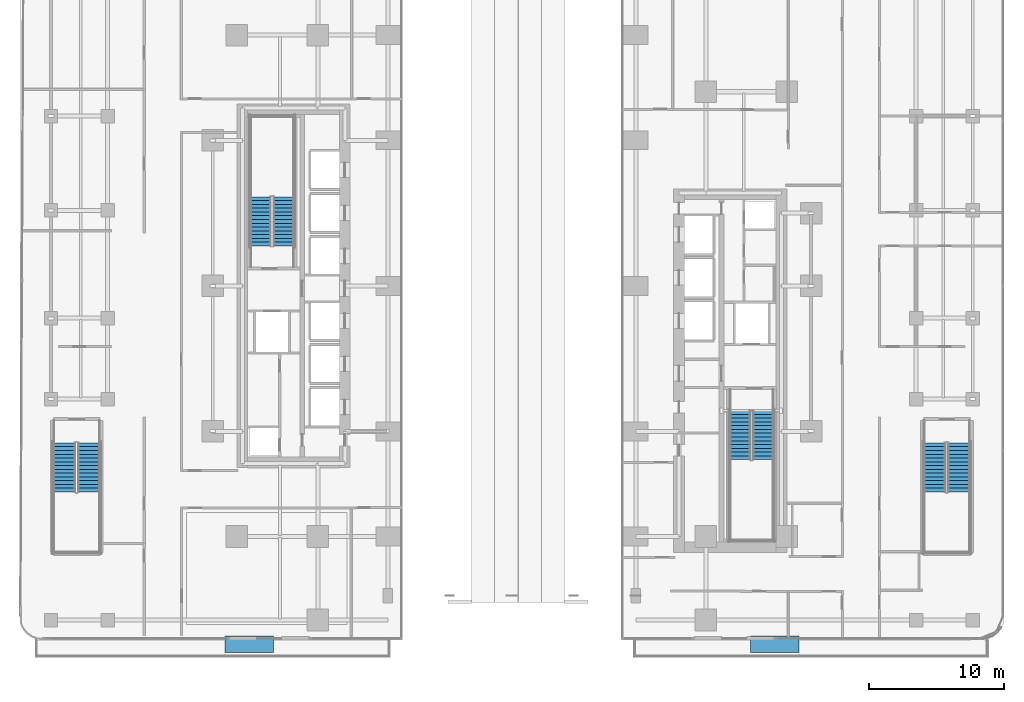
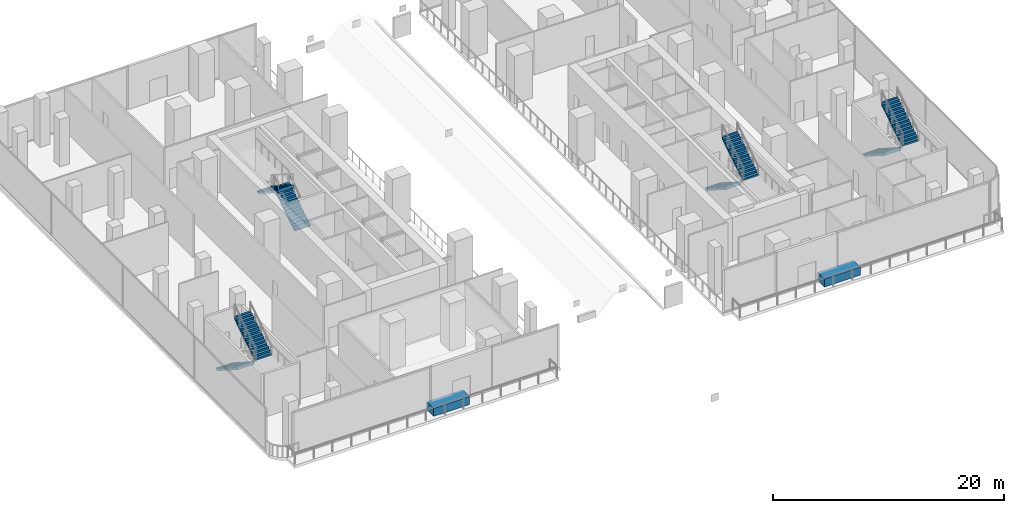
# One storey, part 15 of 32: 8 stair flights, 2 discrete accessories, 4 elements without a shape of their own.
"""IFC4 building model written with IfcOpenShell, lengths in metres."""

from ifc_helpers import new_model, si_unit, direction, frame, origin, origin_2d, place, context, subcontext, project, spatial, polyline, rectangle, outline, extrude, material, layer, layer_set, type_object, element, aggregate, save


model = new_model("IFC4")

# Units and contexts
model_context = context("Model", 3, precision=1e-05, world=origin(), true_north=direction((0.0, 1.0)))
body_context = subcontext(model_context, "Body", "Model", "MODEL_VIEW")
ifc_project = project(units=[si_unit("LENGTHUNIT", "METRE"), si_unit("AREAUNIT", "SQUARE_METRE"), si_unit("VOLUMEUNIT", "CUBIC_METRE"), si_unit("PLANEANGLEUNIT", "RADIAN"), si_unit("MASSUNIT", "GRAM", prefix="KILO")], contexts=[model_context])

# Site, building, storey
site_placement = place(None, origin())
site = spatial("IfcSite", under=ifc_project, at=site_placement, CompositionType="ELEMENT")
building_placement = place(site_placement, origin())
building = spatial("IfcBuilding", under=site, at=building_placement, Name="Khairoan Windgate Tower", CompositionType="ELEMENT")
storey_placement = place(building_placement, frame((0.0, 0.0, 16.0)))
storey = spatial("IfcBuildingStorey", under=building, at=storey_placement, Name="L04", CompositionType="ELEMENT", Elevation=16.0)

# Stair, stair flights
ifc_material_1 = material(Name="Concrete C40/50", Category="concrete")
stair_type_1 = type_object("IfcStairType", Name="Podium Exit Dog-Leg Stair ST-T2 1660mm", PredefinedType="HALF_TURN_STAIR", material=ifc_material_1)
stair_1_placement = place(storey_placement, origin())
stair_1 = element("IfcStair", 1, at=stair_1_placement, inside=storey, type_object=stair_type_1, Name="L04 Stair ST3", PredefinedType="HALF_TURN_STAIR")
ifc_material_2 = material(Name="Concrete C40/50", Category="concrete")
ifc_layer_1 = layer(ifc_material_2, 0.14990234375, Name="Concrete C40/50")
ifc_layer_set_1 = layer_set([ifc_layer_1], Name="Concrete C40/50")
stair_flight_type_1 = type_object("IfcStairFlightType", Name="Podium Stair Flight STF-1660", PredefinedType="STRAIGHT", material=ifc_layer_set_1)
stair_flight_1_placement = place(storey_placement, frame((31.3798828125, -11.659912109375, 0.0), z_axis=(0.0, 0.0, 1.0), x_axis=(0.0, -1.0, 0.0)))
stair_flight_1 = element("IfcStairFlight", 2, at=stair_flight_1_placement, type_object=stair_flight_type_1, Name="ST3 flight 1", NumberOfRisers=14, NumberOfTreads=13, PredefinedType="STRAIGHT", RiserHeight=0.178571429, TreadLength=0.28, context=body_context, shape_type="SweptSolid", body=[
    extrude(outline(polyline([(-0.00390625, 0.0), (-0.00390625, 0.178466796875), (0.0, 0.178466796875), (0.280029296875, 0.178466796875), (0.280029296875, 0.357177734375), (0.56005859375, 0.357177734375), (0.56005859375, 0.53564453125), (0.840087890625, 0.53564453125), (0.840087890625, 0.71435546875), (1.1201171875, 0.71435546875), (1.1201171875, 0.892822265625), (1.39990234375, 0.892822265625), (1.39990234375, 1.071533203125), (1.679931640625, 1.071533203125), (1.679931640625, 1.25), (1.9599609375, 1.25), (1.9599609375, 1.428466796875), (2.239990234375, 1.428466796875), (2.239990234375, 1.607177734375), (2.52001953125, 1.607177734375), (2.52001953125, 1.78564453125), (2.800048828125, 1.78564453125), (2.800048828125, 1.96435546875), (3.080078125, 1.96435546875), (3.080078125, 2.142822265625), (3.360107421875, 2.142822265625), (3.360107421875, 2.321533203125), (3.639892578125, 2.321533203125), (3.639892578125, 2.5), (3.64404296875, 2.5), (3.64404296875, 2.1435546875), (0.27880859375, 0.0), (-0.00390625, 0.0)])), frame((0.0, 0.830078125, 0.0), z_axis=(0.0, -1.0, 0.0), x_axis=(1.0, 0.0, 0.0)), (0.0, 0.0, 1.0), 1.659912109375),
])
stair_flight_2_placement = place(storey_placement, frame((33.18994140625, -15.300048828125, 2.5), z_axis=(0.0, 0.0, 1.0), x_axis=(0.0, 1.0, 0.0)))
stair_flight_2 = element("IfcStairFlight", 3, at=stair_flight_2_placement, type_object=stair_flight_type_1, Name="ST3 flight 2", NumberOfRisers=14, NumberOfTreads=13, PredefinedType="STRAIGHT", RiserHeight=0.178571429, TreadLength=0.28, context=body_context, shape_type="SweptSolid", body=[
    extrude(outline(polyline([(-0.00390625, 0.0), (-0.00390625, 0.178466796875), (0.0, 0.178466796875), (0.280029296875, 0.178466796875), (0.280029296875, 0.357177734375), (0.56005859375, 0.357177734375), (0.56005859375, 0.53564453125), (0.840087890625, 0.53564453125), (0.840087890625, 0.71435546875), (1.1201171875, 0.71435546875), (1.1201171875, 0.892822265625), (1.39990234375, 0.892822265625), (1.39990234375, 1.071533203125), (1.679931640625, 1.071533203125), (1.679931640625, 1.25), (1.9599609375, 1.25), (1.9599609375, 1.428466796875), (2.239990234375, 1.428466796875), (2.239990234375, 1.607177734375), (2.52001953125, 1.607177734375), (2.52001953125, 1.78564453125), (2.800048828125, 1.78564453125), (2.800048828125, 1.96435546875), (3.080078125, 1.96435546875), (3.080078125, 2.142822265625), (3.360107421875, 2.142822265625), (3.360107421875, 2.321533203125), (3.639892578125, 2.321533203125), (3.639892578125, 2.5), (3.64404296875, 2.5), (3.64404296875, 2.1435546875), (0.27880859375, 0.0), (-0.00390625, 0.0)])), frame((0.0, 0.830078125, 0.0), z_axis=(0.0, -1.0, 0.0), x_axis=(1.0, 0.0, 0.0)), (0.0, 0.0, 1.0), 1.659912109375),
])
aggregate(stair_1, [stair_flight_1, stair_flight_2])

stair_2_placement = place(storey_placement, origin())
stair_2 = element("IfcStair", 4, at=stair_2_placement, inside=storey, type_object=stair_type_1, Name="L04 Stair ST4", PredefinedType="HALF_TURN_STAIR")
stair_flight_3_placement = place(storey_placement, frame((-33.18994140625, -11.659912109375, 0.0), z_axis=(0.0, 0.0, 1.0), x_axis=(0.0, -1.0, 0.0)))
stair_flight_3 = element("IfcStairFlight", 5, at=stair_flight_3_placement, type_object=stair_flight_type_1, Name="ST4 flight 1", NumberOfRisers=14, NumberOfTreads=13, PredefinedType="STRAIGHT", RiserHeight=0.178571429, TreadLength=0.28, context=body_context, shape_type="SweptSolid", body=[
    extrude(outline(polyline([(-0.00390625, 0.0), (-0.00390625, 0.178466796875), (0.0, 0.178466796875), (0.280029296875, 0.178466796875), (0.280029296875, 0.357177734375), (0.56005859375, 0.357177734375), (0.56005859375, 0.53564453125), (0.840087890625, 0.53564453125), (0.840087890625, 0.71435546875), (1.1201171875, 0.71435546875), (1.1201171875, 0.892822265625), (1.39990234375, 0.892822265625), (1.39990234375, 1.071533203125), (1.679931640625, 1.071533203125), (1.679931640625, 1.25), (1.9599609375, 1.25), (1.9599609375, 1.428466796875), (2.239990234375, 1.428466796875), (2.239990234375, 1.607177734375), (2.52001953125, 1.607177734375), (2.52001953125, 1.78564453125), (2.800048828125, 1.78564453125), (2.800048828125, 1.96435546875), (3.080078125, 1.96435546875), (3.080078125, 2.142822265625), (3.360107421875, 2.142822265625), (3.360107421875, 2.321533203125), (3.639892578125, 2.321533203125), (3.639892578125, 2.5), (3.64404296875, 2.5), (3.64404296875, 2.1435546875), (0.27880859375, 0.0), (-0.00390625, 0.0)])), frame((0.0, 0.830078125, 0.0), z_axis=(0.0, -1.0, 0.0), x_axis=(1.0, 0.0, 0.0)), (0.0, 0.0, 1.0), 1.659912109375),
])
stair_flight_4_placement = place(storey_placement, frame((-31.3798828125, -15.300048828125, 2.5), z_axis=(0.0, 0.0, 1.0), x_axis=(0.0, 1.0, 0.0)))
stair_flight_4 = element("IfcStairFlight", 6, at=stair_flight_4_placement, type_object=stair_flight_type_1, Name="ST4 flight 2", NumberOfRisers=14, NumberOfTreads=13, PredefinedType="STRAIGHT", RiserHeight=0.178571429, TreadLength=0.28, context=body_context, shape_type="SweptSolid", body=[
    extrude(outline(polyline([(-0.00390625, 0.0), (-0.00390625, 0.178466796875), (0.0, 0.178466796875), (0.280029296875, 0.178466796875), (0.280029296875, 0.357177734375), (0.56005859375, 0.357177734375), (0.56005859375, 0.53564453125), (0.840087890625, 0.53564453125), (0.840087890625, 0.71435546875), (1.1201171875, 0.71435546875), (1.1201171875, 0.892822265625), (1.39990234375, 0.892822265625), (1.39990234375, 1.071533203125), (1.679931640625, 1.071533203125), (1.679931640625, 1.25), (1.9599609375, 1.25), (1.9599609375, 1.428466796875), (2.239990234375, 1.428466796875), (2.239990234375, 1.607177734375), (2.52001953125, 1.607177734375), (2.52001953125, 1.78564453125), (2.800048828125, 1.78564453125), (2.800048828125, 1.96435546875), (3.080078125, 1.96435546875), (3.080078125, 2.142822265625), (3.360107421875, 2.142822265625), (3.360107421875, 2.321533203125), (3.639892578125, 2.321533203125), (3.639892578125, 2.5), (3.64404296875, 2.5), (3.64404296875, 2.1435546875), (0.27880859375, 0.0), (-0.00390625, 0.0)])), frame((0.0, 0.830078125, 0.0), z_axis=(0.0, -1.0, 0.0), x_axis=(1.0, 0.0, 0.0)), (0.0, 0.0, 1.0), 1.659912109375),
])
aggregate(stair_2, [stair_flight_3, stair_flight_4])

ifc_material_3 = material(Name="Concrete C40/50", Category="concrete")
stair_type_2 = type_object("IfcStairType", Name="Tower Core Dog-Leg Stair ST-T1 1560mm", PredefinedType="HALF_TURN_STAIR", material=ifc_material_3)
stair_3_placement = place(storey_placement, origin())
stair_3 = element("IfcStair", 7, at=stair_3_placement, inside=storey, type_object=stair_type_2, Name="L04 Stair ST1", PredefinedType="HALF_TURN_STAIR")
ifc_material_4 = material(Name="Concrete C40/50", Category="concrete")
ifc_layer_2 = layer(ifc_material_4, 0.14990234375, Name="Concrete C40/50")
ifc_layer_set_2 = layer_set([ifc_layer_2], Name="Concrete C40/50")
stair_flight_type_2 = type_object("IfcStairFlightType", Name="Tower Core Stair Flight STF-1560", PredefinedType="STRAIGHT", material=ifc_layer_set_2)
stair_flight_5_placement = place(storey_placement, frame((16.929931640625, -9.260009765625, 0.0), z_axis=(0.0, 0.0, 1.0), x_axis=(0.0, -1.0, 0.0)))
stair_flight_5 = element("IfcStairFlight", 8, at=stair_flight_5_placement, type_object=stair_flight_type_2, Name="ST1 flight 1", NumberOfRisers=14, NumberOfTreads=13, PredefinedType="STRAIGHT", RiserHeight=0.178571429, TreadLength=0.28, context=body_context, shape_type="SweptSolid", body=[
    extrude(outline(polyline([(-0.00390625, 0.0), (-0.00390625, 0.178466796875), (0.0, 0.178466796875), (0.280029296875, 0.178466796875), (0.280029296875, 0.357177734375), (0.56005859375, 0.357177734375), (0.56005859375, 0.53564453125), (0.840087890625, 0.53564453125), (0.840087890625, 0.71435546875), (1.1201171875, 0.71435546875), (1.1201171875, 0.892822265625), (1.39990234375, 0.892822265625), (1.39990234375, 1.071533203125), (1.679931640625, 1.071533203125), (1.679931640625, 1.25), (1.9599609375, 1.25), (1.9599609375, 1.428466796875), (2.239990234375, 1.428466796875), (2.239990234375, 1.607177734375), (2.52001953125, 1.607177734375), (2.52001953125, 1.78564453125), (2.800048828125, 1.78564453125), (2.800048828125, 1.96435546875), (3.080078125, 1.96435546875), (3.080078125, 2.142822265625), (3.360107421875, 2.142822265625), (3.360107421875, 2.321533203125), (3.639892578125, 2.321533203125), (3.639892578125, 2.5), (3.64404296875, 2.5), (3.64404296875, 2.1435546875), (0.27880859375, 0.0), (-0.00390625, 0.0)])), frame((0.0, 0.780029296875, 0.0), z_axis=(0.0, -1.0, 0.0), x_axis=(1.0, 0.0, 0.0)), (0.0, 0.0, 1.0), 1.56005859375),
])
stair_flight_6_placement = place(storey_placement, frame((18.639892578125, -12.89990234375, 2.5), z_axis=(0.0, 0.0, 1.0), x_axis=(0.0, 1.0, 0.0)))
stair_flight_6 = element("IfcStairFlight", 9, at=stair_flight_6_placement, type_object=stair_flight_type_2, Name="ST1 flight 2", NumberOfRisers=14, NumberOfTreads=13, PredefinedType="STRAIGHT", RiserHeight=0.178571429, TreadLength=0.28, context=body_context, shape_type="SweptSolid", body=[
    extrude(outline(polyline([(-0.00390625, 0.0), (-0.00390625, 0.178466796875), (0.0, 0.178466796875), (0.280029296875, 0.178466796875), (0.280029296875, 0.357177734375), (0.56005859375, 0.357177734375), (0.56005859375, 0.53564453125), (0.840087890625, 0.53564453125), (0.840087890625, 0.71435546875), (1.1201171875, 0.71435546875), (1.1201171875, 0.892822265625), (1.39990234375, 0.892822265625), (1.39990234375, 1.071533203125), (1.679931640625, 1.071533203125), (1.679931640625, 1.25), (1.9599609375, 1.25), (1.9599609375, 1.428466796875), (2.239990234375, 1.428466796875), (2.239990234375, 1.607177734375), (2.52001953125, 1.607177734375), (2.52001953125, 1.78564453125), (2.800048828125, 1.78564453125), (2.800048828125, 1.96435546875), (3.080078125, 1.96435546875), (3.080078125, 2.142822265625), (3.360107421875, 2.142822265625), (3.360107421875, 2.321533203125), (3.639892578125, 2.321533203125), (3.639892578125, 2.5), (3.64404296875, 2.5), (3.64404296875, 2.1435546875), (0.27880859375, 0.0), (-0.00390625, 0.0)])), frame((0.0, 0.780029296875, 0.0), z_axis=(0.0, -1.0, 0.0), x_axis=(1.0, 0.0, 0.0)), (0.0, 0.0, 1.0), 1.56005859375),
])
aggregate(stair_3, [stair_flight_5, stair_flight_6])

stair_4_placement = place(storey_placement, origin())
stair_4 = element("IfcStair", 10, at=stair_4_placement, inside=storey, type_object=stair_type_2, Name="L04 Stair ST2", PredefinedType="HALF_TURN_STAIR")
stair_flight_7_placement = place(storey_placement, frame((-16.929931640625, 2.9599609375, 0.0), z_axis=(0.0, 0.0, 1.0), x_axis=(0.0, 1.0, 0.0)))
stair_flight_7 = element("IfcStairFlight", 11, at=stair_flight_7_placement, type_object=stair_flight_type_2, Name="ST2 flight 1", NumberOfRisers=14, NumberOfTreads=13, PredefinedType="STRAIGHT", RiserHeight=0.178571429, TreadLength=0.28, context=body_context, shape_type="SweptSolid", body=[
    extrude(outline(polyline([(-0.00390625, 0.0), (-0.00390625, 0.178466796875), (0.0, 0.178466796875), (0.280029296875, 0.178466796875), (0.280029296875, 0.357177734375), (0.56005859375, 0.357177734375), (0.56005859375, 0.53564453125), (0.840087890625, 0.53564453125), (0.840087890625, 0.71435546875), (1.1201171875, 0.71435546875), (1.1201171875, 0.892822265625), (1.39990234375, 0.892822265625), (1.39990234375, 1.071533203125), (1.679931640625, 1.071533203125), (1.679931640625, 1.25), (1.9599609375, 1.25), (1.9599609375, 1.428466796875), (2.239990234375, 1.428466796875), (2.239990234375, 1.607177734375), (2.52001953125, 1.607177734375), (2.52001953125, 1.78564453125), (2.800048828125, 1.78564453125), (2.800048828125, 1.96435546875), (3.080078125, 1.96435546875), (3.080078125, 2.142822265625), (3.360107421875, 2.142822265625), (3.360107421875, 2.321533203125), (3.639892578125, 2.321533203125), (3.639892578125, 2.5), (3.64404296875, 2.5), (3.64404296875, 2.1435546875), (0.27880859375, 0.0), (-0.00390625, 0.0)])), frame((0.0, 0.780029296875, 0.0), z_axis=(0.0, -1.0, 0.0), x_axis=(1.0, 0.0, 0.0)), (0.0, 0.0, 1.0), 1.56005859375),
])
stair_flight_8_placement = place(storey_placement, frame((-18.639892578125, 6.60009765625, 2.5), z_axis=(0.0, 0.0, 1.0), x_axis=(0.0, -1.0, 0.0)))
stair_flight_8 = element("IfcStairFlight", 12, at=stair_flight_8_placement, type_object=stair_flight_type_2, Name="ST2 flight 2", NumberOfRisers=14, NumberOfTreads=13, PredefinedType="STRAIGHT", RiserHeight=0.178571429, TreadLength=0.28, context=body_context, shape_type="SweptSolid", body=[
    extrude(outline(polyline([(-0.00390625, 0.0), (-0.00390625, 0.178466796875), (0.0, 0.178466796875), (0.280029296875, 0.178466796875), (0.280029296875, 0.357177734375), (0.56005859375, 0.357177734375), (0.56005859375, 0.53564453125), (0.840087890625, 0.53564453125), (0.840087890625, 0.71435546875), (1.1201171875, 0.71435546875), (1.1201171875, 0.892822265625), (1.39990234375, 0.892822265625), (1.39990234375, 1.071533203125), (1.679931640625, 1.071533203125), (1.679931640625, 1.25), (1.9599609375, 1.25), (1.9599609375, 1.428466796875), (2.239990234375, 1.428466796875), (2.239990234375, 1.607177734375), (2.52001953125, 1.607177734375), (2.52001953125, 1.78564453125), (2.800048828125, 1.78564453125), (2.800048828125, 1.96435546875), (3.080078125, 1.96435546875), (3.080078125, 2.142822265625), (3.360107421875, 2.142822265625), (3.360107421875, 2.321533203125), (3.639892578125, 2.321533203125), (3.639892578125, 2.5), (3.64404296875, 2.5), (3.64404296875, 2.1435546875), (0.27880859375, 0.0), (-0.00390625, 0.0)])), frame((0.0, 0.780029296875, 0.0), z_axis=(0.0, -1.0, 0.0), x_axis=(1.0, 0.0, 0.0)), (0.0, 0.0, 1.0), 1.56005859375),
])
aggregate(stair_4, [stair_flight_7, stair_flight_8])

# Discrete accessories
ifc_material_5 = material(Name="Precast Concrete C40/50", Category="concrete")
discrete_accessory_type = type_object("IfcDiscreteAccessoryType", Name="Architectural Precast Terrace Planter Box PLN-1", PredefinedType="USERDEFINED", material=ifc_material_5)
for number, where, z_axis, x_axis, name in (
    (13, (-19.5, -26.60009765625, 0.0), (0.0, 0.0, 1.0), (1.0, 0.0, 0.0), "L04 Congress Sky Terrace Planter 01"),
    (14, (19.5, -26.60009765625, 0.0), (0.0, 0.0, 1.0), (1.0, 0.0, 0.0), "L04 Congress Sky Terrace Planter 02"),
):
    element("IfcDiscreteAccessory", number, at=place(storey_placement, frame(where, z_axis=z_axis, x_axis=x_axis)), inside=storey, type_object=discrete_accessory_type, Name=name, ObjectType="PLANTER", PredefinedType="USERDEFINED", context=body_context, shape_type="SweptSolid", body=[
        extrude(rectangle(XDim=3.60009765625, YDim=1.199951171875, at=origin_2d()), origin(), (0.0, 0.0, 1.0), 0.840087890625),
    ])

save(model, "model.ifc")
